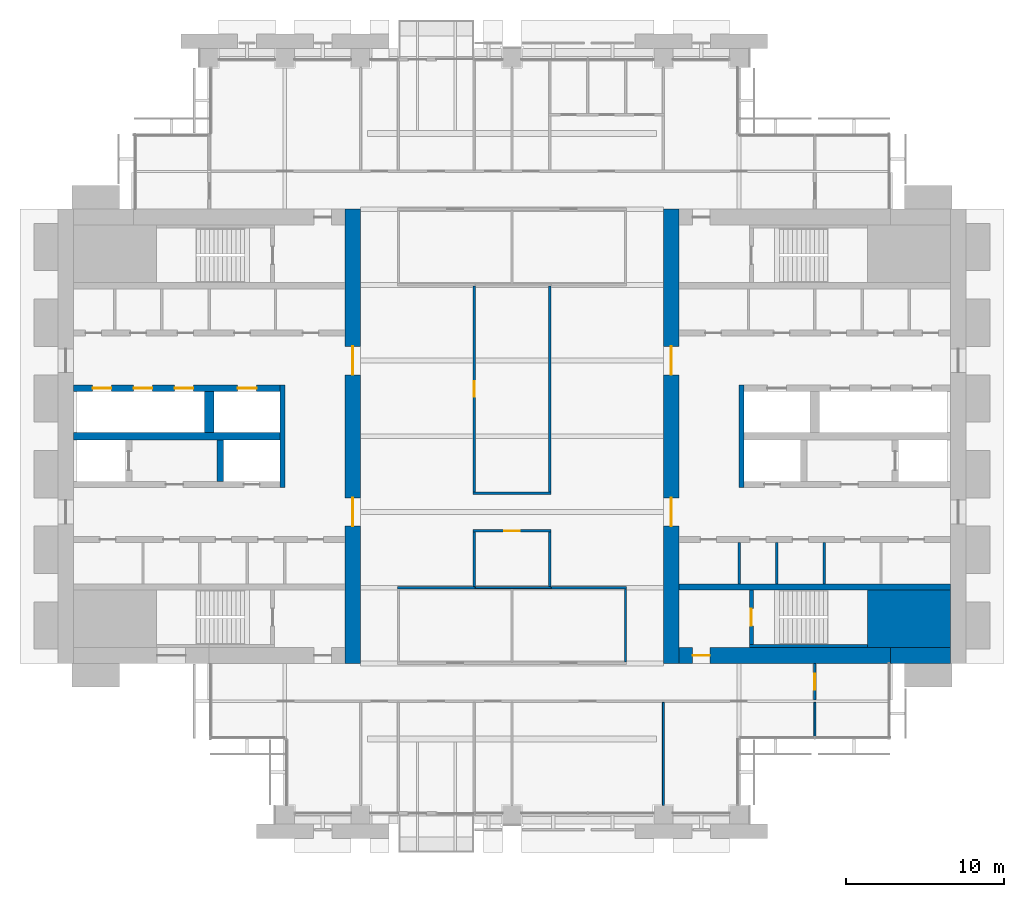
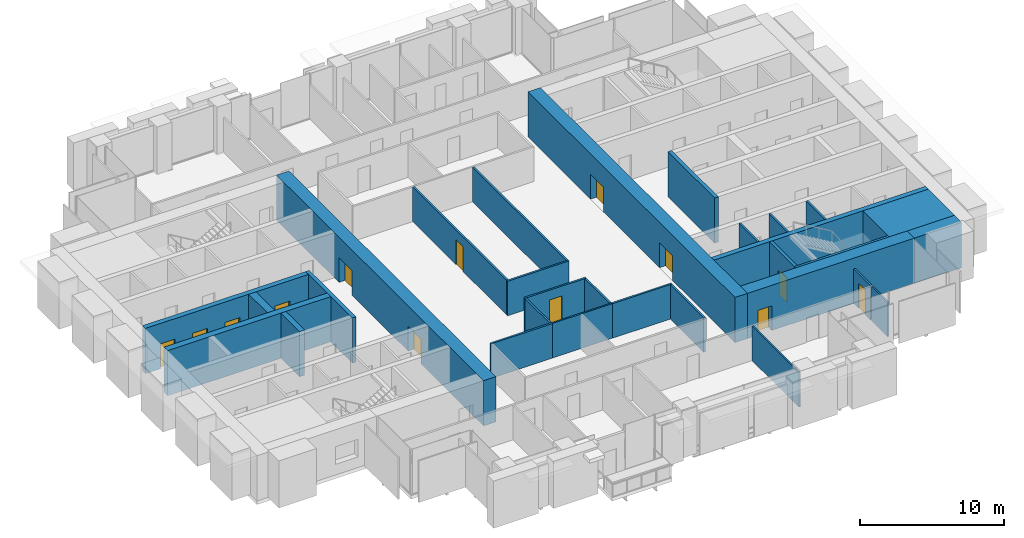
# One storey, part 10 of 15: 30 walls, 13 doors, 13 openings.
"""IFC4 building model written with IfcOpenShell, lengths in metres."""

import ifcopenshell
import ifcopenshell.guid

model = None  # the IFC model being written
_history = None  # IfcOwnerHistory: only IFC2X3 demands one
_inside = {}  # id of a spatial element -> (the spatial element, [elements in it])
_under = {}  # id of a project, library or spatial element -> (it, [spatial elements below it])
_declared = {}  # id of a project -> (the project, [libraries it declares])
_typed = {}  # id of a type object -> (the type object, [elements of that type])
_made_of = {}  # id of a material, layer set ... -> (it, [elements and type objects made of it])


def new_model(schema):
    """Start an empty IFC model of exactly this schema.

    Asked for "IFC4X3", IfcOpenShell would pick the latest addendum, in which some entities
    have other attributes; the version numbers below select the first issue.
    IFC2X3 requires an IfcOwnerHistory on every rooted entity: one is made here for all.
    """
    global model, _history
    if schema == "IFC4X3":
        model = ifcopenshell.file(schema_version=(4, 3, 0, 0))
    else:
        model = ifcopenshell.file(schema=schema)
    _inside.clear()
    _under.clear()
    _declared.clear()
    _typed.clear()
    _made_of.clear()
    _history = None
    if model.schema == "IFC2X3":
        org = make("IfcOrganization", Name="unknown")
        user = make(
            "IfcPersonAndOrganization",
            ThePerson=make("IfcPerson", FamilyName="unknown"),
            TheOrganization=org,
        )
        app = make(
            "IfcApplication",
            ApplicationDeveloper=org,
            Version="unknown",
            ApplicationFullName="unknown",
            ApplicationIdentifier="unknown",
        )
        _history = make(
            "IfcOwnerHistory",
            OwningUser=user,
            OwningApplication=app,
            ChangeAction="ADDED",
            CreationDate=0,
        )
    return model


def make(cls, **values):
    """One entity of the class cls with the attributes given. An attribute that is None is left unset."""
    return model.create_entity(
        cls, **{name: value for name, value in values.items() if value is not None}
    )


def rooted(cls, **values):
    """An entity with a GlobalId (a new one), such as an element, a storey or a relation."""
    return make(cls, GlobalId=ifcopenshell.guid.new(), OwnerHistory=_history, **values)


def si_unit(unit_type, name, prefix=None):
    """IfcSIUnit, for example si_unit("LENGTHUNIT", "METRE", prefix="MILLI")."""
    return make("IfcSIUnit", UnitType=unit_type, Prefix=prefix, Name=name)


def assignment(units):
    """IfcUnitAssignment: the units of a project."""
    return None if units is None else make("IfcUnitAssignment", Units=units)


def point(xyz):
    """IfcCartesianPoint."""
    return None if xyz is None else make("IfcCartesianPoint", Coordinates=xyz)


def direction(xyz):
    """IfcDirection."""
    return None if xyz is None else make("IfcDirection", DirectionRatios=xyz)


def frame(location, z_axis=None, x_axis=None):
    """IfcAxis2Placement3D, a coordinate frame: its origin and axes. An axis left out is left unset."""
    return make(
        "IfcAxis2Placement3D",
        Location=point(location),
        Axis=direction(z_axis),
        RefDirection=direction(x_axis),
    )


def frame_2d(location, x_axis=None):
    """IfcAxis2Placement2D, a coordinate frame in the plane: its origin and x axis."""
    return make(
        "IfcAxis2Placement2D", Location=point(location), RefDirection=direction(x_axis)
    )


def origin():
    """The frame at (0, 0, 0) with its axes left unset."""
    return frame((0.0, 0.0, 0.0))


def place(relative_to, where):
    """IfcLocalPlacement: puts the frame where relative to a parent placement (None: the world)."""
    return make(
        "IfcLocalPlacement", PlacementRelTo=relative_to, RelativePlacement=where
    )


def context(
    kind, dimensions, precision=None, world=None, true_north=None, identifier=None
):
    """IfcGeometricRepresentationContext, for example the 3D "Model" context."""
    return make(
        "IfcGeometricRepresentationContext",
        ContextIdentifier=identifier,
        ContextType=kind,
        CoordinateSpaceDimension=dimensions,
        Precision=precision,
        WorldCoordinateSystem=world,
        TrueNorth=true_north,
    )


def subcontext(parent, identifier, kind, view, scale=None):
    """IfcGeometricRepresentationSubContext, for example "Body" below "Model"."""
    return make(
        "IfcGeometricRepresentationSubContext",
        ContextIdentifier=identifier,
        ContextType=kind,
        ParentContext=parent,
        TargetScale=scale,
        TargetView=view,
    )


def project(units=None, contexts=None):
    """IfcProject with its units and contexts."""
    return rooted(
        "IfcProject",
        Name="project",
        RepresentationContexts=contexts,
        UnitsInContext=assignment(units),
    )


def spatial(cls, under=None, at=None, **own):
    """A site, building, storey or space (cls), placed at a placement, below another one or the project."""
    s = rooted(cls, ObjectPlacement=at, **own)
    if under is not None:
        _under.setdefault(under.id(), (under, []))[1].append(s)
    return s


def profile(cls, at=None, kind="AREA", **sizes):
    """A parametric profile (cls). Its sizes go by their IFC names, for example OverallWidth=200.0."""
    return make(cls, ProfileType=kind, Position=at, **sizes)


def rectangle(**sizes):
    """IfcRectangleProfileDef."""
    return profile("IfcRectangleProfileDef", **sizes)


def extrude(swept, where, along, depth):
    """IfcExtrudedAreaSolid: the profile swept, set in the frame where, extruded along a direction by depth."""
    return make(
        "IfcExtrudedAreaSolid",
        SweptArea=swept,
        Position=where,
        ExtrudedDirection=direction(along),
        Depth=depth,
    )


def shape(context_of_items, identifier, shape_type, items):
    """IfcShapeRepresentation: the items that make up one representation, for example the "Body"."""
    return make(
        "IfcShapeRepresentation",
        ContextOfItems=context_of_items,
        RepresentationIdentifier=identifier,
        RepresentationType=shape_type,
        Items=items,
    )


def material(Name=None, Category=None):
    """IfcMaterial."""
    return make("IfcMaterial", Name=Name, Category=Category)


def layer(
    of_material, thickness, ventilated=None, Name=None, Category=None, Priority=None
):
    """IfcMaterialLayer: one layer of a wall or slab, of a material (None: an air gap)."""
    return make(
        "IfcMaterialLayer",
        Material=of_material,
        LayerThickness=thickness,
        IsVentilated=ventilated,
        Name=Name,
        Category=Category,
        Priority=Priority,
    )


def layer_set(layers, Name=None):
    """IfcMaterialLayerSet."""
    return make("IfcMaterialLayerSet", MaterialLayers=layers, LayerSetName=Name)


def made_of(thing, what):
    """Note that an element or type object is made of a material, layer set ...; save() writes the relation."""
    if what is not None:
        _made_of.setdefault(what.id(), (what, []))[1].append(thing)
    return thing


def type_object(cls, material=None, **own):
    """A type object (cls), such as IfcWallType, which elements share."""
    return made_of(rooted(cls, **own), material)


def element(
    cls,
    number,
    at=None,
    inside=None,
    cuts=None,
    type_object=None,
    material=None,
    context=None,
    identifier="Body",
    shape_type=None,
    held_by="IfcProductDefinitionShape",
    body=None,
    shapes=None,
    **own,
):
    """One element of the class cls, such as IfcWall. Its Tag is "e" and its number.

    at: its placement. inside: the storey or other place that contains it. cuts: it is an
    opening in that element (IfcRelVoidsElement). A single representation is given by context,
    identifier, shape_type and body (its items); several are given by shapes. held_by: the class
    of the entity that holds the representations. save() writes the other relations.
    """
    e = rooted(cls, Tag="e%d" % number, ObjectPlacement=at, **own)
    if body is not None:
        shapes = [shape(context, identifier, shape_type, body)]
    if shapes is not None:
        e.Representation = make(held_by, Representations=shapes)
    if inside is not None:
        _inside.setdefault(inside.id(), (inside, []))[1].append(e)
    if cuts is not None:
        rooted(
            "IfcRelVoidsElement", RelatingBuildingElement=cuts, RelatedOpeningElement=e
        )
    if type_object is not None:
        _typed.setdefault(type_object.id(), (type_object, []))[1].append(e)
    return made_of(e, material)


def fill(opening, filler):
    """IfcRelFillsElement: the door or window that sits in an opening."""
    return rooted(
        "IfcRelFillsElement",
        RelatingOpeningElement=opening,
        RelatedBuildingElement=filler,
    )


def aggregate(whole, parts):
    """IfcRelAggregates: a whole, such as a stair, and the parts it consists of."""
    return rooted("IfcRelAggregates", RelatingObject=whole, RelatedObjects=parts)


def save(model, path):
    """Write the relations noted so far, then the file.

    IfcRelAggregates (storeys below a building ...), IfcRelContainedInSpatialStructure (elements
    in a storey), IfcRelDefinesByType, IfcRelAssociatesMaterial and IfcRelDeclares: one each for
    every whole, place, type object, material and project.
    """
    for whole, parts in _under.values():
        aggregate(whole, parts)
    for where, things in _inside.values():
        rooted(
            "IfcRelContainedInSpatialStructure",
            RelatedElements=things,
            RelatingStructure=where,
        )
    for kind, things in _typed.values():
        rooted("IfcRelDefinesByType", RelatedObjects=things, RelatingType=kind)
    for what, things in _made_of.values():
        rooted("IfcRelAssociatesMaterial", RelatedObjects=things, RelatingMaterial=what)
    for by, libraries in _declared.values():
        rooted("IfcRelDeclares", RelatingContext=by, RelatedDefinitions=libraries)
    model.write(path)


model = new_model("IFC4")

# Units and contexts
model_context = context("Model", 3, precision=1e-05, world=origin(), true_north=direction((0.0, 1.0)))
body_context = subcontext(model_context, "Body", "Model", "MODEL_VIEW")
ifc_project = project(units=[si_unit("LENGTHUNIT", "METRE"), si_unit("AREAUNIT", "SQUARE_METRE"), si_unit("VOLUMEUNIT", "CUBIC_METRE"), si_unit("PLANEANGLEUNIT", "RADIAN"), si_unit("MASSUNIT", "GRAM", prefix="KILO")], contexts=[model_context])

# Site, building, storey
site_placement = place(None, origin())
site = spatial("IfcSite", under=ifc_project, at=site_placement, CompositionType="ELEMENT")
building_placement = place(site_placement, origin())
building = spatial("IfcBuilding", under=site, at=building_placement, Name="Baori Bourse Tower", CompositionType="ELEMENT")
storey_placement = place(building_placement, frame((0.0, 0.0, 104.10009765625)))
storey = spatial("IfcBuildingStorey", under=building, at=storey_placement, Name="L21", CompositionType="ELEMENT", Elevation=104.10009765625)

# Walls
ifc_material_1 = material(Name="Concrete f'c 60 MPa", Category="concrete")
wall_type_1 = type_object("IfcWallType", Name="Core corner block f'c 60", PredefinedType="SHEAR", material=ifc_material_1)
wall_1_placement = place(storey_placement, frame((51.35009765625, 12.425048828125, 0.0), z_axis=(0.0, 0.0, 1.0), x_axis=(1.0, 0.0, 0.0)))
element("IfcWall", 1, at=wall_1_placement, inside=storey, type_object=wall_type_1, Name="Core wall E05", PredefinedType="SHEAR", context=body_context, shape_type="SweptSolid", body=[
    extrude(rectangle(XDim=5.25, YDim=3.64990234375, at=frame_2d((2.625, 0.0))), origin(), (0.0, 0.0, 1.0), 3.83984375),
])
ifc_material_2 = material(Name="Blockwork partition", Category="masonry")
ifc_layer_1 = layer(ifc_material_2, 0.14990234375)
ifc_layer_set_1 = layer_set([ifc_layer_1], Name="Core partition 150")
wall_type_2 = type_object("IfcWallType", Name="Core partition 150", PredefinedType="PARTITIONING", material=ifc_layer_set_1)
for number, where, z_axis, x_axis, name in (
    (2, (48.60009765625, 14.64990234375, 0.0), (0.0, 0.0, 1.0), (0.0, 1.0, 0.0), "Partition wall E10"),
    (3, (45.60009765625, 14.64990234375, 0.0), (0.0, 0.0, 1.0), (0.0, 1.0, 0.0), "Partition wall E11"),
    (4, (43.199951171875, 14.64990234375, 0.0), (0.0, 0.0, 1.0), (0.0, 1.0, 0.0), "Partition wall E12"),
):
    element("IfcWall", number, at=place(storey_placement, frame(where, z_axis=z_axis, x_axis=x_axis)), inside=storey, type_object=wall_type_2, Name=name, PredefinedType="PARTITIONING", context=body_context, shape_type="SweptSolid", body=[
        extrude(rectangle(XDim=2.60009765625, YDim=0.14990234375, at=frame_2d((1.300048828125, 0.0))), origin(), (0.0, 0.0, 1.0), 3.83984375),
    ])

# Wall, openings, doors
ifc_material_3 = material(Name="Concrete f'c 60 MPa", Category="concrete")
ifc_layer_2 = layer(ifc_material_3, 1.0)
ifc_layer_set_2 = layer_set([ifc_layer_2], Name="Core wall 1000 f'c 60")
wall_type_3 = type_object("IfcWallType", Name="Core wall 1000 f'c 60", PredefinedType="SHEAR", material=ifc_layer_set_2)
wall_2_placement = place(storey_placement, frame((18.699951171875, 38.39990234375, 0.0), z_axis=(0.0, 0.0, 1.0), x_axis=(0.0, -1.0, 0.0)))
wall_2 = element("IfcWall", 5, at=wall_2_placement, inside=storey, type_object=wall_type_3, Name="Core wall W04", PredefinedType="SHEAR", context=body_context, shape_type="SweptSolid", body=[
    extrude(rectangle(XDim=28.7998046875, YDim=1.0, at=frame_2d((14.39990234375, 0.0))), origin(), (0.0, 0.0, 1.0), 3.83984375),
])
opening_1_placement = place(wall_2_placement, frame((18.300048828125, 0.0, 0.0)))
opening_1 = element("IfcOpeningElement", 6, at=opening_1_placement, cuts=wall_2, Name="Opening L21-D107", PredefinedType="OPENING", context=body_context, shape_type="SweptSolid", body=[
    extrude(rectangle(XDim=1.800048828125, YDim=2.10009765625, at=frame_2d((0.89990234375, 1.050048828125))), frame((0.0, 0.510009765625, 0.0), z_axis=(0.0, -1.0, 0.0), x_axis=(1.0, 0.0, 0.0)), (0.0, 0.0, 1.0), 1.02001953125),
])
opening_2_placement = place(wall_2_placement, frame((8.699951171875, 0.0, 0.0)))
opening_2 = element("IfcOpeningElement", 7, at=opening_2_placement, cuts=wall_2, Name="Opening L21-D108", PredefinedType="OPENING", context=body_context, shape_type="SweptSolid", body=[
    extrude(rectangle(XDim=1.800048828125, YDim=2.10009765625, at=frame_2d((0.89990234375, 1.050048828125))), frame((0.0, 0.510009765625, 0.0), z_axis=(0.0, -1.0, 0.0), x_axis=(1.0, 0.0, 0.0)), (0.0, 0.0, 1.0), 1.02001953125),
])
ifc_material_4 = material(Name="Painted steel door", Category="steel")
door_type_1 = type_object("IfcDoorType", Name="Core lobby door 1800", OperationType="DOUBLE_DOOR_SINGLE_SWING", PredefinedType="DOOR", material=ifc_material_4)
door_1_placement = place(opening_1_placement, origin())
door_1 = element("IfcDoor", 8, at=door_1_placement, inside=storey, type_object=door_type_1, Name="Lobby door W L21", OperationType="DOUBLE_DOOR_SINGLE_SWING", OverallHeight=2.10009765625, OverallWidth=1.800048828125, PredefinedType="DOOR", context=body_context, shape_type="SweptSolid", body=[
    extrude(rectangle(XDim=1.800048828125, YDim=2.10009765625, at=frame_2d((0.89990234375, 1.050048828125))), frame((0.0, 0.02490234375, 0.0), z_axis=(0.0, -1.0, 0.0), x_axis=(1.0, 0.0, 0.0)), (0.0, 0.0, 1.0), 0.050048828125),
])
fill(opening_1, door_1)
door_2_placement = place(opening_2_placement, origin())
door_2 = element("IfcDoor", 9, at=door_2_placement, inside=storey, type_object=door_type_1, Name="Lobby door W L21", OperationType="DOUBLE_DOOR_SINGLE_SWING", OverallHeight=2.10009765625, OverallWidth=1.800048828125, PredefinedType="DOOR", context=body_context, shape_type="SweptSolid", body=[
    extrude(rectangle(XDim=1.800048828125, YDim=2.10009765625, at=frame_2d((0.89990234375, 1.050048828125))), frame((0.0, 0.02490234375, 0.0), z_axis=(0.0, -1.0, 0.0), x_axis=(1.0, 0.0, 0.0)), (0.0, 0.0, 1.0), 0.050048828125),
])
fill(opening_2, door_2)

# Wall
wall_3_placement = place(storey_placement, frame((56.60009765625, 10.10009765625, 0.0), z_axis=(0.0, 0.0, 1.0), x_axis=(-1.0, 0.0, 0.0)))
element("IfcWall", 10, at=wall_3_placement, inside=storey, type_object=wall_type_3, Name="Core wall E02", PredefinedType="SHEAR", context=body_context, shape_type="SweptSolid", body=[
    extrude(rectangle(XDim=3.800048828125, YDim=1.0, at=frame_2d((1.89990234375, 0.0))), origin(), (0.0, 0.0, 1.0), 3.83984375),
])

# Wall, opening, door
wall_4_placement = place(storey_placement, frame((52.800048828125, 10.10009765625, 0.0), z_axis=(0.0, 0.0, 1.0), x_axis=(-1.0, 0.0, 0.0)))
wall_4 = element("IfcWall", 11, at=wall_4_placement, inside=storey, type_object=wall_type_3, Name="Core wall E03", PredefinedType="SHEAR", context=body_context, shape_type="SweptSolid", body=[
    extrude(rectangle(XDim=13.400146484375, YDim=1.0, at=frame_2d((6.7001953125, 0.0))), origin(), (0.0, 0.0, 1.0), 3.83984375),
])
opening_3_placement = place(wall_4_placement, frame((11.449951171875, 0.0, 0.0)))
opening_3 = element("IfcOpeningElement", 12, at=opening_3_placement, cuts=wall_4, Name="Opening L21-D202", PredefinedType="OPENING", context=body_context, shape_type="SweptSolid", body=[
    extrude(rectangle(XDim=1.10009765625, YDim=2.10009765625, at=frame_2d((0.550048828125, 1.050048828125))), frame((0.0, 0.510009765625, 0.0), z_axis=(0.0, -1.0, 0.0), x_axis=(1.0, 0.0, 0.0)), (0.0, 0.0, 1.0), 1.02001953125),
])
ifc_material_5 = material(Name="Painted steel door", Category="steel")
door_type_2 = type_object("IfcDoorType", Name="Stair door 1100", OperationType="SINGLE_SWING_LEFT", PredefinedType="DOOR", material=ifc_material_5)
door_3_placement = place(opening_3_placement, origin())
door_3 = element("IfcDoor", 13, at=door_3_placement, inside=storey, type_object=door_type_2, Name="Stair vestibule door A E L21", OperationType="SINGLE_SWING_LEFT", OverallHeight=2.10009765625, OverallWidth=1.10009765625, PredefinedType="DOOR", context=body_context, shape_type="SweptSolid", body=[
    extrude(rectangle(XDim=1.10009765625, YDim=2.10009765625, at=frame_2d((0.550048828125, 1.050048828125))), frame((0.0, 0.02490234375, 0.0), z_axis=(0.0, -1.0, 0.0), x_axis=(1.0, 0.0, 0.0)), (0.0, 0.0, 1.0), 0.050048828125),
])
fill(opening_3, door_3)

# Wall, openings, doors
wall_5_placement = place(storey_placement, frame((38.89990234375, 9.60009765625, 0.0), z_axis=(0.0, 0.0, 1.0), x_axis=(0.0, 1.0, 0.0)))
wall_5 = element("IfcWall", 14, at=wall_5_placement, inside=storey, type_object=wall_type_3, Name="Core wall E04", PredefinedType="SHEAR", context=body_context, shape_type="SweptSolid", body=[
    extrude(rectangle(XDim=28.7998046875, YDim=1.0, at=frame_2d((14.39990234375, 0.0))), origin(), (0.0, 0.0, 1.0), 3.83984375),
])
opening_4_placement = place(wall_5_placement, frame((8.699951171875, 0.0, 0.0)))
opening_4 = element("IfcOpeningElement", 15, at=opening_4_placement, cuts=wall_5, Name="Opening L21-D207", PredefinedType="OPENING", context=body_context, shape_type="SweptSolid", body=[
    extrude(rectangle(XDim=1.800048828125, YDim=2.10009765625, at=frame_2d((0.89990234375, 1.050048828125))), frame((0.0, 0.510009765625, 0.0), z_axis=(0.0, -1.0, 0.0), x_axis=(1.0, 0.0, 0.0)), (0.0, 0.0, 1.0), 1.02001953125),
])
opening_5_placement = place(wall_5_placement, frame((18.300048828125, 0.0, 0.0)))
opening_5 = element("IfcOpeningElement", 16, at=opening_5_placement, cuts=wall_5, Name="Opening L21-D208", PredefinedType="OPENING", context=body_context, shape_type="SweptSolid", body=[
    extrude(rectangle(XDim=1.800048828125, YDim=2.10009765625, at=frame_2d((0.89990234375, 1.050048828125))), frame((0.0, 0.510009765625, 0.0), z_axis=(0.0, -1.0, 0.0), x_axis=(1.0, 0.0, 0.0)), (0.0, 0.0, 1.0), 1.02001953125),
])
door_4_placement = place(opening_4_placement, origin())
door_4 = element("IfcDoor", 17, at=door_4_placement, inside=storey, type_object=door_type_1, Name="Lobby door E L21", OperationType="DOUBLE_DOOR_SINGLE_SWING", OverallHeight=2.10009765625, OverallWidth=1.800048828125, PredefinedType="DOOR", context=body_context, shape_type="SweptSolid", body=[
    extrude(rectangle(XDim=1.800048828125, YDim=2.10009765625, at=frame_2d((0.89990234375, 1.050048828125))), frame((0.0, 0.02490234375, 0.0), z_axis=(0.0, -1.0, 0.0), x_axis=(1.0, 0.0, 0.0)), (0.0, 0.0, 1.0), 0.050048828125),
])
fill(opening_4, door_4)
door_5_placement = place(opening_5_placement, origin())
door_5 = element("IfcDoor", 18, at=door_5_placement, inside=storey, type_object=door_type_1, Name="Lobby door E L21", OperationType="DOUBLE_DOOR_SINGLE_SWING", OverallHeight=2.10009765625, OverallWidth=1.800048828125, PredefinedType="DOOR", context=body_context, shape_type="SweptSolid", body=[
    extrude(rectangle(XDim=1.800048828125, YDim=2.10009765625, at=frame_2d((0.89990234375, 1.050048828125))), frame((0.0, 0.02490234375, 0.0), z_axis=(0.0, -1.0, 0.0), x_axis=(1.0, 0.0, 0.0)), (0.0, 0.0, 1.0), 0.050048828125),
])
fill(opening_5, door_5)

# Walls
ifc_material_6 = material(Name="Gypsum board partition")
ifc_layer_3 = layer(ifc_material_6, 0.14990234375)
ifc_layer_set_3 = layer_set([ifc_layer_3], Name="Corridor partition 150")
wall_type_4 = type_object("IfcWallType", Name="Corridor partition 150", PredefinedType="PARTITIONING", material=ifc_layer_set_3)
wall_6_placement = place(storey_placement, frame((21.52490234375, 14.39990234375, 0.0), z_axis=(0.0, 0.0, 1.0), x_axis=(1.0, 0.0, 0.0)))
element("IfcWall", 19, at=wall_6_placement, inside=storey, type_object=wall_type_4, Name="Partition", PredefinedType="PARTITIONING", context=body_context, shape_type="SweptSolid", body=[
    extrude(rectangle(XDim=4.9501953125, YDim=0.14990234375, at=frame_2d((2.47509765625, 0.0))), origin(), (0.0, 0.0, 1.0), 2.935546875),
])
wall_7_placement = place(storey_placement, frame((31.27490234375, 14.39990234375, 0.0), z_axis=(0.0, 0.0, 1.0), x_axis=(1.0, 0.0, 0.0)))
element("IfcWall", 20, at=wall_7_placement, inside=storey, type_object=wall_type_4, Name="Partition", PredefinedType="PARTITIONING", context=body_context, shape_type="SweptSolid", body=[
    extrude(rectangle(XDim=4.800048828125, YDim=0.14990234375, at=frame_2d((2.39990234375, 0.0))), origin(), (0.0, 0.0, 1.0), 2.935546875),
])

# Wall, opening, door
wall_8_placement = place(storey_placement, frame((26.324951171875, 18.0, 0.0), z_axis=(0.0, 0.0, 1.0), x_axis=(1.0, 0.0, 0.0)))
wall_8 = element("IfcWall", 21, at=wall_8_placement, inside=storey, type_object=wall_type_4, Name="Partition", PredefinedType="PARTITIONING", context=body_context, shape_type="SweptSolid", body=[
    extrude(rectangle(XDim=4.949951171875, YDim=0.14990234375, at=frame_2d((2.47509765625, 0.0))), origin(), (0.0, 0.0, 1.0), 2.935546875),
])
opening_6_placement = place(wall_8_placement, frame((1.97509765625, 0.0, 0.0)))
opening_6 = element("IfcOpeningElement", 22, at=opening_6_placement, cuts=wall_8, Name="Opening L21-D09", PredefinedType="OPENING", context=body_context, shape_type="SweptSolid", body=[
    extrude(rectangle(XDim=1.0, YDim=2.10009765625, at=frame_2d((0.5, 1.050048828125))), frame((0.0, 0.0849609375, 0.0), z_axis=(0.0, -1.0, 0.0), x_axis=(1.0, 0.0, 0.0)), (0.0, 0.0, 1.0), 0.169921875),
])
ifc_material_7 = material(Name="Timber door leaf", Category="wood")
door_type_3 = type_object("IfcDoorType", Name="Door 1000 x 2100", OperationType="SINGLE_SWING_LEFT", PredefinedType="DOOR", material=ifc_material_7)
door_6_placement = place(opening_6_placement, origin())
door_6 = element("IfcDoor", 23, at=door_6_placement, inside=storey, type_object=door_type_3, Name="Door", OperationType="SINGLE_SWING_RIGHT", OverallHeight=2.10009765625, OverallWidth=1.0, PredefinedType="DOOR", context=body_context, shape_type="SweptSolid", body=[
    extrude(rectangle(XDim=1.0, YDim=2.10009765625, at=frame_2d((0.5, 1.050048828125))), frame((0.0, 0.02490234375, 0.0), z_axis=(0.0, -1.0, 0.0), x_axis=(1.0, 0.0, 0.0)), (0.0, 0.0, 1.0), 0.050048828125),
])
fill(opening_6, door_6)

# Walls
wall_9_placement = place(storey_placement, frame((26.324951171875, 20.39990234375, 0.0), z_axis=(0.0, 0.0, 1.0), x_axis=(1.0, 0.0, 0.0)))
element("IfcWall", 24, at=wall_9_placement, inside=storey, type_object=wall_type_4, Name="Partition", PredefinedType="PARTITIONING", context=body_context, shape_type="SweptSolid", body=[
    extrude(rectangle(XDim=4.949951171875, YDim=0.14990234375, at=frame_2d((2.47509765625, 0.0))), origin(), (0.0, 0.0, 1.0), 2.935546875),
])
wall_10_placement = place(storey_placement, frame((26.39990234375, 14.47509765625, 0.0), z_axis=(0.0, 0.0, 1.0), x_axis=(0.0, 1.0, 0.0)))
element("IfcWall", 25, at=wall_10_placement, inside=storey, type_object=wall_type_4, Name="Partition", PredefinedType="PARTITIONING", context=body_context, shape_type="SweptSolid", body=[
    extrude(rectangle(XDim=3.449951171875, YDim=0.14990234375, at=frame_2d((1.72509765625, 0.0))), origin(), (0.0, 0.0, 1.0), 2.935546875),
])

# Wall, opening, door
wall_11_placement = place(storey_placement, frame((26.39990234375, 20.47509765625, 0.0), z_axis=(0.0, 0.0, 1.0), x_axis=(0.0, 1.0, 0.0)))
wall_11 = element("IfcWall", 26, at=wall_11_placement, inside=storey, type_object=wall_type_4, Name="Partition", PredefinedType="PARTITIONING", context=body_context, shape_type="SweptSolid", body=[
    extrude(rectangle(XDim=13.0498046875, YDim=0.14990234375, at=frame_2d((6.52490234375, 0.0))), origin(), (0.0, 0.0, 1.0), 2.935546875),
])
opening_7_placement = place(wall_11_placement, frame((6.02490234375, 0.0, 0.0)))
opening_7 = element("IfcOpeningElement", 27, at=opening_7_placement, cuts=wall_11, Name="Opening L21-D23", PredefinedType="OPENING", context=body_context, shape_type="SweptSolid", body=[
    extrude(rectangle(XDim=1.0, YDim=2.10009765625, at=frame_2d((0.5, 1.050048828125))), frame((0.0, 0.0849609375, 0.0), z_axis=(0.0, -1.0, 0.0), x_axis=(1.0, 0.0, 0.0)), (0.0, 0.0, 1.0), 0.169921875),
])
door_7_placement = place(opening_7_placement, origin())
door_7 = element("IfcDoor", 28, at=door_7_placement, inside=storey, type_object=door_type_3, Name="Door", OperationType="SINGLE_SWING_LEFT", OverallHeight=2.10009765625, OverallWidth=1.0, PredefinedType="DOOR", context=body_context, shape_type="SweptSolid", body=[
    extrude(rectangle(XDim=1.0, YDim=2.10009765625, at=frame_2d((0.5, 1.050048828125))), frame((0.0, 0.02490234375, 0.0), z_axis=(0.0, -1.0, 0.0), x_axis=(1.0, 0.0, 0.0)), (0.0, 0.0, 1.0), 0.050048828125),
])
fill(opening_7, door_7)

# Walls
wall_12_placement = place(storey_placement, frame((31.199951171875, 14.47509765625, 0.0), z_axis=(0.0, 0.0, 1.0), x_axis=(0.0, 1.0, 0.0)))
element("IfcWall", 29, at=wall_12_placement, inside=storey, type_object=wall_type_4, Name="Partition", PredefinedType="PARTITIONING", context=body_context, shape_type="SweptSolid", body=[
    extrude(rectangle(XDim=3.449951171875, YDim=0.14990234375, at=frame_2d((1.72509765625, 0.0))), origin(), (0.0, 0.0, 1.0), 2.935546875),
])
wall_13_placement = place(storey_placement, frame((31.199951171875, 20.47509765625, 0.0), z_axis=(0.0, 0.0, 1.0), x_axis=(0.0, 1.0, 0.0)))
element("IfcWall", 30, at=wall_13_placement, inside=storey, type_object=wall_type_4, Name="Partition", PredefinedType="PARTITIONING", context=body_context, shape_type="SweptSolid", body=[
    extrude(rectangle(XDim=13.0498046875, YDim=0.14990234375, at=frame_2d((6.52490234375, 0.0))), origin(), (0.0, 0.0, 1.0), 2.935546875),
])
wall_14_placement = place(storey_placement, frame((36.0, 9.675048828125, 0.0), z_axis=(0.0, 0.0, 1.0), x_axis=(0.0, 1.0, 0.0)))
element("IfcWall", 31, at=wall_14_placement, inside=storey, type_object=wall_type_4, Name="Partition", PredefinedType="PARTITIONING", context=body_context, shape_type="SweptSolid", body=[
    extrude(rectangle(XDim=4.64990234375, YDim=0.14990234375, at=frame_2d((2.324951171875, 0.0))), origin(), (0.0, 0.0, 1.0), 2.935546875),
])

# Wall, opening, door
wall_15_placement = place(storey_placement, frame((48.0, 7.27490234375, 0.0), z_axis=(0.0, 0.0, 1.0), x_axis=(0.0, 1.0, 0.0)))
wall_15 = element("IfcWall", 32, at=wall_15_placement, inside=storey, type_object=wall_type_4, Name="Partition", PredefinedType="PARTITIONING", context=body_context, shape_type="SweptSolid", body=[
    extrude(rectangle(XDim=2.3251953125, YDim=0.14990234375, at=frame_2d((1.16259765625, 0.0))), origin(), (0.0, 0.0, 1.0), 2.935546875),
])
opening_8_placement = place(wall_15_placement, frame((0.66259765625, 0.0, 0.0)))
opening_8 = element("IfcOpeningElement", 33, at=opening_8_placement, cuts=wall_15, Name="Opening L21-D24", PredefinedType="OPENING", context=body_context, shape_type="SweptSolid", body=[
    extrude(rectangle(XDim=1.0, YDim=2.10009765625, at=frame_2d((0.5, 1.050048828125))), frame((0.0, 0.0849609375, 0.0), z_axis=(0.0, -1.0, 0.0), x_axis=(1.0, 0.0, 0.0)), (0.0, 0.0, 1.0), 0.169921875),
])
door_8_placement = place(opening_8_placement, origin())
door_8 = element("IfcDoor", 34, at=door_8_placement, inside=storey, type_object=door_type_3, Name="Door", OperationType="SINGLE_SWING_LEFT", OverallHeight=2.10009765625, OverallWidth=1.0, PredefinedType="DOOR", context=body_context, shape_type="SweptSolid", body=[
    extrude(rectangle(XDim=1.0, YDim=2.10009765625, at=frame_2d((0.5, 1.050048828125))), frame((0.0, 0.02490234375, 0.0), z_axis=(0.0, -1.0, 0.0), x_axis=(1.0, 0.0, 0.0)), (0.0, 0.0, 1.0), 0.050048828125),
])
fill(opening_8, door_8)

# Walls
ifc_material_8 = material(Name="Gypsum board partition")
ifc_layer_4 = layer(ifc_material_8, 0.125)
ifc_layer_set_4 = layer_set([ifc_layer_4], Name="Partition 125")
wall_type_5 = type_object("IfcWallType", Name="Partition 125", PredefinedType="PARTITIONING", material=ifc_layer_set_4)
wall_16_placement = place(storey_placement, frame((26.47509765625, 14.39990234375, 0.0), z_axis=(0.0, 0.0, 1.0), x_axis=(1.0, 0.0, 0.0)))
element("IfcWall", 35, at=wall_16_placement, inside=storey, type_object=wall_type_5, Name="Partition", PredefinedType="PARTITIONING", context=body_context, shape_type="SweptSolid", body=[
    extrude(rectangle(XDim=4.7998046875, YDim=0.125, at=frame_2d((2.39990234375, 0.0))), origin(), (0.0, 0.0, 1.0), 2.935546875),
])
wall_17_placement = place(storey_placement, frame((38.39990234375, 0.60009765625, 0.0), z_axis=(0.0, 0.0, 1.0), x_axis=(0.0, 1.0, 0.0)))
element("IfcWall", 36, at=wall_17_placement, inside=storey, type_object=wall_type_5, Name="Partition", PredefinedType="PARTITIONING", context=body_context, shape_type="SweptSolid", body=[
    extrude(rectangle(XDim=6.52490234375, YDim=0.125, at=frame_2d((3.262451171875, 0.0))), origin(), (0.0, 0.0, 1.0), 2.935546875),
])
wall_18_placement = place(storey_placement, frame((48.0, 4.89990234375, 0.0), z_axis=(0.0, 0.0, 1.0), x_axis=(0.0, 1.0, 0.0)))
element("IfcWall", 37, at=wall_18_placement, inside=storey, type_object=wall_type_5, Name="Partition", PredefinedType="PARTITIONING", context=body_context, shape_type="SweptSolid", body=[
    extrude(rectangle(XDim=2.22509765625, YDim=0.125, at=frame_2d((1.112548828125, 0.0))), origin(), (0.0, 0.0, 1.0), 2.935546875),
])
ifc_material_9 = material(Name="Concrete f'c 60 MPa", Category="concrete")
ifc_layer_5 = layer(ifc_material_9, 0.199951171875)
ifc_layer_set_5 = layer_set([ifc_layer_5], Name="Shaft wall 200 f'c 60")
wall_type_6 = type_object("IfcWallType", Name="Shaft wall 200 f'c 60", PredefinedType="SHEAR", material=ifc_layer_set_5)
wall_19_placement = place(storey_placement, frame((43.85009765625, 10.699951171875, 0.0), z_axis=(0.0, 0.0, 1.0), x_axis=(1.0, 0.0, 0.0)))
element("IfcWall", 38, at=wall_19_placement, inside=storey, type_object=wall_type_6, Name="Core wall E06", PredefinedType="SHEAR", context=body_context, shape_type="SweptSolid", body=[
    extrude(rectangle(XDim=7.5, YDim=0.199951171875, at=frame_2d((3.75, 0.0))), origin(), (0.0, 0.0, 1.0), 3.83984375),
])

# Wall, opening, door
ifc_material_10 = material(Name="Concrete f'c 60 MPa", Category="concrete")
ifc_layer_6 = layer(ifc_material_10, 0.25)
ifc_layer_set_6 = layer_set([ifc_layer_6], Name="Shaft wall 250 f'c 60")
wall_type_7 = type_object("IfcWallType", Name="Shaft wall 250 f'c 60", PredefinedType="SHEAR", material=ifc_layer_set_6)
wall_20_placement = place(storey_placement, frame((43.97509765625, 10.800048828125, 0.0), z_axis=(0.0, 0.0, 1.0), x_axis=(0.0, 1.0, 0.0)))
wall_20 = element("IfcWall", 39, at=wall_20_placement, inside=storey, type_object=wall_type_7, Name="Core wall E07", PredefinedType="SHEAR", context=body_context, shape_type="SweptSolid", body=[
    extrude(rectangle(XDim=3.449951171875, YDim=0.25, at=frame_2d((1.72509765625, 0.0))), origin(), (0.0, 0.0, 1.0), 3.83984375),
])
opening_9_placement = place(wall_20_placement, frame((1.175048828125, 0.0, 0.0)))
opening_9 = element("IfcOpeningElement", 40, at=opening_9_placement, cuts=wall_20, Name="Opening L21-D201", PredefinedType="OPENING", context=body_context, shape_type="SweptSolid", body=[
    extrude(rectangle(XDim=1.10009765625, YDim=2.10009765625, at=frame_2d((0.550048828125, 1.050048828125))), frame((0.0, 0.135009765625, 0.0), z_axis=(0.0, -1.0, 0.0), x_axis=(1.0, 0.0, 0.0)), (0.0, 0.0, 1.0), 0.27001953125),
])
door_9_placement = place(opening_9_placement, origin())
door_9 = element("IfcDoor", 41, at=door_9_placement, inside=storey, type_object=door_type_2, Name="Stair door A E L21", OperationType="SINGLE_SWING_LEFT", OverallHeight=2.10009765625, OverallWidth=1.10009765625, PredefinedType="DOOR", context=body_context, shape_type="SweptSolid", body=[
    extrude(rectangle(XDim=1.10009765625, YDim=2.10009765625, at=frame_2d((0.550048828125, 1.050048828125))), frame((0.0, 0.02490234375, 0.0), z_axis=(0.0, -1.0, 0.0), x_axis=(1.0, 0.0, 0.0)), (0.0, 0.0, 1.0), 0.050048828125),
])
fill(opening_9, door_9)

# Walls
ifc_material_11 = material(Name="Concrete f'c 60 MPa", Category="concrete")
ifc_layer_7 = layer(ifc_material_11, 0.300048828125)
ifc_layer_set_7 = layer_set([ifc_layer_7], Name="Shaft wall 300 f'c 60")
wall_type_8 = type_object("IfcWallType", Name="Shaft wall 300 f'c 60", PredefinedType="SHEAR", material=ifc_layer_set_7)
for number, where, z_axis, x_axis, name in (
    (42, (14.25, 20.75, 0.0), (0.0, 0.0, 1.0), (0.0, 1.0, 0.0), "Core wall W16"),
    (43, (43.35009765625, 20.75, 0.0), (0.0, 0.0, 1.0), (0.0, 1.0, 0.0), "Core wall E15"),
):
    element("IfcWall", number, at=place(storey_placement, frame(where, z_axis=z_axis, x_axis=x_axis)), inside=storey, type_object=wall_type_8, Name=name, PredefinedType="SHEAR", context=body_context, shape_type="SweptSolid", body=[
        extrude(rectangle(XDim=6.5, YDim=0.300048828125, at=frame_2d((3.25, 0.0))), origin(), (0.0, 0.0, 1.0), 3.83984375),
    ])
ifc_material_12 = material(Name="Concrete f'c 60 MPa", Category="concrete")
ifc_layer_8 = layer(ifc_material_12, 0.39990234375)
ifc_layer_set_8 = layer_set([ifc_layer_8], Name="Shaft wall 400 f'c 60")
wall_type_9 = type_object("IfcWallType", Name="Shaft wall 400 f'c 60", PredefinedType="SHEAR", material=ifc_layer_set_8)
wall_21_placement = place(storey_placement, frame((10.300048828125, 21.14990234375, 0.0), z_axis=(0.0, 0.0, 1.0), x_axis=(0.0, 1.0, 0.0)))
element("IfcWall", 44, at=wall_21_placement, inside=storey, type_object=wall_type_9, Name="Core wall W18", PredefinedType="SHEAR", context=body_context, shape_type="SweptSolid", body=[
    extrude(rectangle(XDim=2.60009765625, YDim=0.39990234375, at=frame_2d((1.300048828125, 0.0))), origin(), (0.0, 0.0, 1.0), 3.83984375),
])

# Wall, openings, doors
wall_22_placement = place(storey_placement, frame((1.0, 27.050048828125, 0.0), z_axis=(0.0, 0.0, 1.0), x_axis=(1.0, 0.0, 0.0)))
wall_22 = element("IfcWall", 45, at=wall_22_placement, inside=storey, type_object=wall_type_9, Name="Core wall W21", PredefinedType="SHEAR", context=body_context, shape_type="SweptSolid", body=[
    extrude(rectangle(XDim=13.10009765625, YDim=0.39990234375, at=frame_2d((6.550048828125, 0.0))), origin(), (0.0, 0.0, 1.0), 3.83984375),
])
opening_10_placement = place(wall_22_placement, frame((1.199951171875, 0.0, 0.0)))
opening_10 = element("IfcOpeningElement", 46, at=opening_10_placement, cuts=wall_22, Name="Opening L21-D119", PredefinedType="OPENING", context=body_context, shape_type="SweptSolid", body=[
    extrude(rectangle(XDim=1.199951171875, YDim=2.10009765625, at=frame_2d((0.60009765625, 1.050048828125))), frame((0.0, 0.2099609375, 0.0), z_axis=(0.0, -1.0, 0.0), x_axis=(1.0, 0.0, 0.0)), (0.0, 0.0, 1.0), 0.419921875),
])
opening_11_placement = place(wall_22_placement, frame((3.800048828125, 0.0, 0.0)))
opening_11 = element("IfcOpeningElement", 47, at=opening_11_placement, cuts=wall_22, Name="Opening L21-D120", PredefinedType="OPENING", context=body_context, shape_type="SweptSolid", body=[
    extrude(rectangle(XDim=1.199951171875, YDim=2.10009765625, at=frame_2d((0.60009765625, 1.050048828125))), frame((0.0, 0.2099609375, 0.0), z_axis=(0.0, -1.0, 0.0), x_axis=(1.0, 0.0, 0.0)), (0.0, 0.0, 1.0), 0.419921875),
])
opening_12_placement = place(wall_22_placement, frame((6.39990234375, 0.0, 0.0)))
opening_12 = element("IfcOpeningElement", 48, at=opening_12_placement, cuts=wall_22, Name="Opening L21-D121", PredefinedType="OPENING", context=body_context, shape_type="SweptSolid", body=[
    extrude(rectangle(XDim=1.199951171875, YDim=2.10009765625, at=frame_2d((0.60009765625, 1.050048828125))), frame((0.0, 0.2099609375, 0.0), z_axis=(0.0, -1.0, 0.0), x_axis=(1.0, 0.0, 0.0)), (0.0, 0.0, 1.0), 0.419921875),
])
opening_13_placement = place(wall_22_placement, frame((10.39990234375, 0.0, 0.0)))
opening_13 = element("IfcOpeningElement", 49, at=opening_13_placement, cuts=wall_22, Name="Opening L21-D122", PredefinedType="OPENING", context=body_context, shape_type="SweptSolid", body=[
    extrude(rectangle(XDim=1.199951171875, YDim=2.10009765625, at=frame_2d((0.60009765625, 1.050048828125))), frame((0.0, 0.2099609375, 0.0), z_axis=(0.0, -1.0, 0.0), x_axis=(1.0, 0.0, 0.0)), (0.0, 0.0, 1.0), 0.419921875),
])
ifc_material_13 = material(Name="Stainless steel door", Category="steel")
door_type_4 = type_object("IfcDoorType", Name="Lift landing door", OperationType="DOUBLE_DOOR_SLIDING", PredefinedType="DOOR", material=ifc_material_13)
door_10_placement = place(opening_10_placement, origin())
door_10 = element("IfcDoor", 50, at=door_10_placement, inside=storey, type_object=door_type_4, Name="Lift landing door SH1 W L21", OperationType="DOUBLE_DOOR_SLIDING", OverallHeight=2.10009765625, OverallWidth=1.199951171875, PredefinedType="DOOR", context=body_context, shape_type="SweptSolid", body=[
    extrude(rectangle(XDim=1.199951171875, YDim=2.10009765625, at=frame_2d((0.60009765625, 1.050048828125))), frame((0.0, 0.02490234375, 0.0), z_axis=(0.0, -1.0, 0.0), x_axis=(1.0, 0.0, 0.0)), (0.0, 0.0, 1.0), 0.050048828125),
])
fill(opening_10, door_10)
door_11_placement = place(opening_11_placement, origin())
door_11 = element("IfcDoor", 51, at=door_11_placement, inside=storey, type_object=door_type_4, Name="Lift landing door SH2 W L21", OperationType="DOUBLE_DOOR_SLIDING", OverallHeight=2.10009765625, OverallWidth=1.199951171875, PredefinedType="DOOR", context=body_context, shape_type="SweptSolid", body=[
    extrude(rectangle(XDim=1.199951171875, YDim=2.10009765625, at=frame_2d((0.60009765625, 1.050048828125))), frame((0.0, 0.02490234375, 0.0), z_axis=(0.0, -1.0, 0.0), x_axis=(1.0, 0.0, 0.0)), (0.0, 0.0, 1.0), 0.050048828125),
])
fill(opening_11, door_11)
door_12_placement = place(opening_12_placement, origin())
door_12 = element("IfcDoor", 52, at=door_12_placement, inside=storey, type_object=door_type_4, Name="Lift landing door SH3 W L21", OperationType="DOUBLE_DOOR_SLIDING", OverallHeight=2.10009765625, OverallWidth=1.199951171875, PredefinedType="DOOR", context=body_context, shape_type="SweptSolid", body=[
    extrude(rectangle(XDim=1.199951171875, YDim=2.10009765625, at=frame_2d((0.60009765625, 1.050048828125))), frame((0.0, 0.02490234375, 0.0), z_axis=(0.0, -1.0, 0.0), x_axis=(1.0, 0.0, 0.0)), (0.0, 0.0, 1.0), 0.050048828125),
])
fill(opening_12, door_12)
door_13_placement = place(opening_13_placement, origin())
door_13 = element("IfcDoor", 53, at=door_13_placement, inside=storey, type_object=door_type_4, Name="Lift landing door SV1 W L21", OperationType="DOUBLE_DOOR_SLIDING", OverallHeight=2.10009765625, OverallWidth=1.199951171875, PredefinedType="DOOR", context=body_context, shape_type="SweptSolid", body=[
    extrude(rectangle(XDim=1.199951171875, YDim=2.10009765625, at=frame_2d((0.60009765625, 1.050048828125))), frame((0.0, 0.02490234375, 0.0), z_axis=(0.0, -1.0, 0.0), x_axis=(1.0, 0.0, 0.0)), (0.0, 0.0, 1.0), 0.050048828125),
])
fill(opening_13, door_13)

# Walls
wall_23_placement = place(storey_placement, frame((39.39990234375, 14.449951171875, 0.0), z_axis=(0.0, 0.0, 1.0), x_axis=(1.0, 0.0, 0.0)))
element("IfcWall", 54, at=wall_23_placement, inside=storey, type_object=wall_type_9, Name="Core wall E08", PredefinedType="SHEAR", context=body_context, shape_type="SweptSolid", body=[
    extrude(rectangle(XDim=17.2001953125, YDim=0.39990234375, at=frame_2d((8.60009765625, 0.0))), origin(), (0.0, 0.0, 1.0), 3.83984375),
])
ifc_material_14 = material(Name="Concrete f'c 60 MPa", Category="concrete")
ifc_layer_9 = layer(ifc_material_14, 0.5)
ifc_layer_set_9 = layer_set([ifc_layer_9], Name="Shaft wall 500 f'c 60")
wall_type_10 = type_object("IfcWallType", Name="Shaft wall 500 f'c 60", PredefinedType="SHEAR", material=ifc_layer_set_9)
wall_24_placement = place(storey_placement, frame((1.0, 24.0, 0.0), z_axis=(0.0, 0.0, 1.0), x_axis=(1.0, 0.0, 0.0)))
element("IfcWall", 55, at=wall_24_placement, inside=storey, type_object=wall_type_10, Name="Core wall W19", PredefinedType="SHEAR", context=body_context, shape_type="SweptSolid", body=[
    extrude(rectangle(XDim=13.10009765625, YDim=0.5, at=frame_2d((6.550048828125, 0.0))), origin(), (0.0, 0.0, 1.0), 3.83984375),
])
ifc_material_15 = material(Name="Concrete f'c 60 MPa", Category="concrete")
ifc_layer_10 = layer(ifc_material_15, 0.60009765625)
ifc_layer_set_10 = layer_set([ifc_layer_10], Name="Shaft wall 600 f'c 60")
wall_type_11 = type_object("IfcWallType", Name="Shaft wall 600 f'c 60", PredefinedType="SHEAR", material=ifc_layer_set_10)
wall_25_placement = place(storey_placement, frame((9.60009765625, 24.25, 0.0), z_axis=(0.0, 0.0, 1.0), x_axis=(0.0, 1.0, 0.0)))
element("IfcWall", 56, at=wall_25_placement, inside=storey, type_object=wall_type_11, Name="Core wall W20", PredefinedType="SHEAR", context=body_context, shape_type="SweptSolid", body=[
    extrude(rectangle(XDim=2.60009765625, YDim=0.60009765625, at=frame_2d((1.300048828125, 0.0))), origin(), (0.0, 0.0, 1.0), 3.83984375),
])

save(model, "model.ifc")
